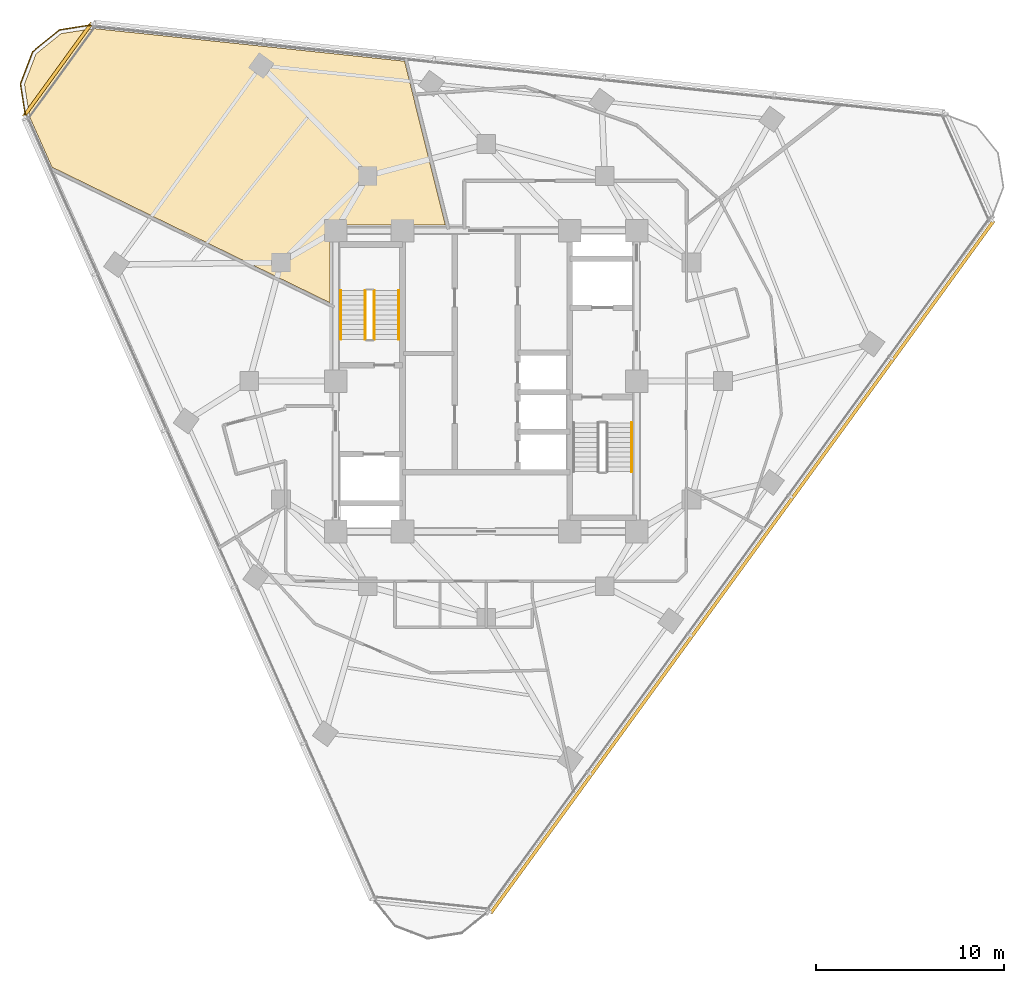
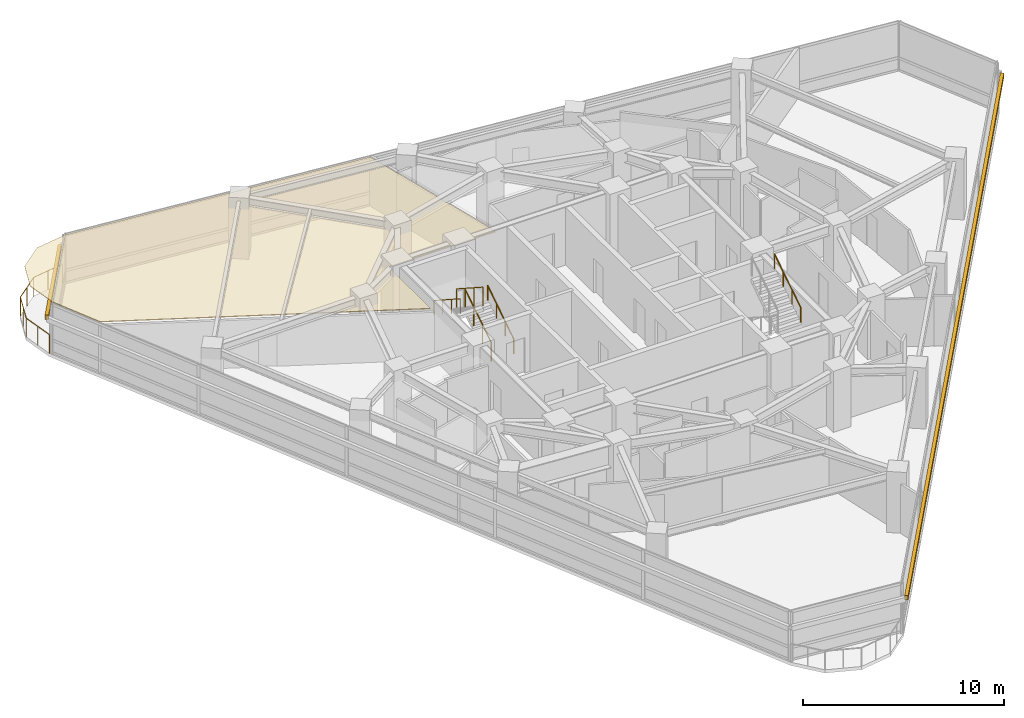
# One storey, part 13 of 14: 6 railings, 2 shading devices, 1 covering.
"""IFC4 building model written with IfcOpenShell, lengths in metres."""

from ifc_helpers import new_model, si_unit, direction, frame, origin, origin_2d, place, context, subcontext, project, spatial, polyline, rectangle, circle, outline, extrude, material, layer, layer_set, type_object, element, save


model = new_model("IFC4")

# Units and contexts
model_context = context("Model", 3, precision=1e-05, world=origin(), true_north=direction((0.0, 1.0)))
body_context = subcontext(model_context, "Body", "Model", "MODEL_VIEW")
ifc_project = project(units=[si_unit("LENGTHUNIT", "METRE"), si_unit("AREAUNIT", "SQUARE_METRE"), si_unit("VOLUMEUNIT", "CUBIC_METRE"), si_unit("PLANEANGLEUNIT", "RADIAN"), si_unit("MASSUNIT", "GRAM", prefix="KILO")], contexts=[model_context])

# Site, building, storey
site_placement = place(None, origin())
site = spatial("IfcSite", under=ifc_project, at=site_placement, CompositionType="ELEMENT")
building_placement = place(site_placement, origin())
building = spatial("IfcBuilding", under=site, at=building_placement, Name="Terralouvre Media Tower", CompositionType="ELEMENT")
storey_placement = place(building_placement, frame((0.0, 0.0, 222.60009765625)))
storey = spatial("IfcBuildingStorey", under=building, at=storey_placement, Name="L57", CompositionType="ELEMENT", Elevation=222.60009765625)

# Covering
ifc_material_1 = material(Name="Perforated aluminium acoustic ceiling baffle", Category="aluminium")
ifc_layer_1 = layer(ifc_material_1, 0.0400390625, Name="Perforated Acoustic Metal Tile Ceiling CL-AC1")
ifc_layer_set_1 = layer_set([ifc_layer_1], Name="Perforated aluminium acoustic ceiling baffle")
covering_type = type_object("IfcCoveringType", Name="Perforated Acoustic Metal Tile Ceiling CL-AC1", PredefinedType="CEILING", material=ifc_layer_set_1)
covering_placement = place(storey_placement, frame((0.0, 0.0, 2.97998046875), z_axis=(0.0, 0.0, 1.0), x_axis=(0.587785252292, 0.809016994375, 0.0)))
element("IfcCovering", 1, at=covering_placement, inside=storey, type_object=covering_type, Name="L57 Network Executive Boardroom 9 Acoustic Ceiling", PredefinedType="CEILING", context=body_context, shape_type="SweptSolid", body=[
    extrude(outline(polyline([(-1.515869140625, 9.17041015625), (1.757568359375, 11.548583984375), (1.765869140625, 11.553955078125), (1.7744140625, 11.55859375), (1.783447265625, 11.562255859375), (1.79296875, 11.56494140625), (1.802490234375, 11.56689453125), (1.8125, 11.567626953125), (1.822265625, 11.567626953125), (1.83203125, 11.56640625), (1.841552734375, 11.564453125), (1.850830078125, 11.5615234375), (1.85986328125, 11.5576171875), (1.86865234375, 11.552978515625), (1.876708984375, 11.54736328125), (1.88427734375, 11.541259765625), (1.89111328125, 11.5341796875), (1.897216796875, 11.526611328125), (5.444580078125, 6.64404296875), (10.029541015625, 12.107666015625), (11.208984375, 13.5146484375), (2.898193359375, 27.908935546875), (1.66064453125, 29.146484375), (-0.000244140625, 29.591552734375), (-1.66064453125, 29.146240234375), (-2.8984375, 27.908935546875), (-4.3701171875, 25.360107421875), (-1.515869140625, 9.17041015625)])), origin(), (0.0, 0.0, 1.0), 0.0400390625),
])

# Railings
ifc_material_2 = material(Name="Stainless steel 316 handrail and balustrade", Category="steel")
ifc_layer_2 = layer(ifc_material_2, 0.06005859375, Name="Roof Edge Safety Guardrail GR-ROOF1")
ifc_layer_set_2 = layer_set([ifc_layer_2], Name="Stainless steel 316 handrail and balustrade")
railing_type_1 = type_object("IfcRailingType", Name="Roof Edge Safety Guardrail GR-ROOF1", PredefinedType="GUARDRAIL", material=ifc_layer_set_2)
railing_1_placement = place(storey_placement, frame((-20.870361328125, 18.961181640625, 0.0)))
element("IfcRailing", 2, at=railing_1_placement, inside=storey, type_object=railing_type_1, Name="L57 Wind-Corner Perimeter Safety Guardrail C2", PredefinedType="GUARDRAIL", context=body_context, shape_type="SweptSolid", body=[
    extrude(circle(Radius=0.02099609375, at=origin_2d()), frame((0.0, 0.0, 1.12890625), z_axis=(-0.987731695444, -0.156160487372, 0.0), x_axis=(0.156160487372, -0.987731695444, 0.0)), (0.0, 0.0, 1.0), 1.8369140625),
    extrude(circle(Radius=0.02099609375, at=origin_2d()), frame((-1.814453125, -0.286865234375, 1.12890625), z_axis=(-0.777198436724, -0.629255583967, 0.0), x_axis=(0.629255583967, -0.777198436724, 0.0)), (0.0, 0.0, 1.0), 1.836669921875),
    extrude(circle(Radius=0.02099609375, at=origin_2d()), frame((-3.241943359375, -1.442626953125, 1.12890625), z_axis=(-0.35822186013, -0.933636491856, 0.0), x_axis=(0.933636491856, -0.35822186013, 0.0)), (0.0, 0.0, 1.0), 1.836669921875),
    extrude(circle(Radius=0.02099609375, at=origin_2d()), frame((-3.89990234375, -3.157470703125, 1.12890625), z_axis=(0.156699635824, -0.987646305178, 0.0), x_axis=(0.987646305178, 0.156699635824, 0.0)), (0.0, 0.0, 1.0), 1.8369140625),
    extrude(circle(Radius=0.01904296875, at=origin_2d()), origin(), (0.0, 0.0, 1.0), 1.10791015625),
    extrude(circle(Radius=0.01904296875, at=origin_2d()), frame((-0.9072265625, -0.1435546875, 0.0)), (0.0, 0.0, 1.0), 1.10791015625),
    extrude(circle(Radius=0.01904296875, at=origin_2d()), frame((-1.814453125, -0.286865234375, 0.0)), (0.0, 0.0, 1.0), 1.10791015625),
    extrude(circle(Radius=0.01904296875, at=origin_2d()), frame((-2.5283203125, -0.86474609375, 0.0)), (0.0, 0.0, 1.0), 1.10791015625),
    extrude(circle(Radius=0.01904296875, at=origin_2d()), frame((-3.241943359375, -1.442626953125, 0.0)), (0.0, 0.0, 1.0), 1.10791015625),
    extrude(circle(Radius=0.01904296875, at=origin_2d()), frame((-3.57080078125, -2.300048828125, 0.0)), (0.0, 0.0, 1.0), 1.10791015625),
    extrude(circle(Radius=0.01904296875, at=origin_2d()), frame((-3.89990234375, -3.157470703125, 0.0)), (0.0, 0.0, 1.0), 1.10791015625),
    extrude(circle(Radius=0.01904296875, at=origin_2d()), frame((-3.755859375, -4.064453125, 0.0)), (0.0, 0.0, 1.0), 1.10791015625),
    extrude(circle(Radius=0.01904296875, at=origin_2d()), frame((-3.612060546875, -4.9716796875, 0.0)), (0.0, 0.0, 1.0), 1.10791015625),
])
ifc_material_3 = material(Name="Stainless steel 316 handrail and balustrade", Category="steel")
ifc_layer_3 = layer(ifc_material_3, 0.050048828125, Name="Stair Flight Wall Handrail HR-INT1")
ifc_layer_set_3 = layer_set([ifc_layer_3], Name="Stainless steel 316 handrail and balustrade")
railing_type_2 = type_object("IfcRailingType", Name="Stair Flight Wall Handrail HR-INT1", PredefinedType="HANDRAIL", material=ifc_layer_set_3)
railing_2_placement = place(storey_placement, frame((-4.64990234375, 2.219970703125, 0.16796875)))
element("IfcRailing", 3, at=railing_2_placement, inside=storey, type_object=railing_type_2, Name="L57 ST-01 stair handrail 1", PredefinedType="HANDRAIL", context=body_context, shape_type="SweptSolid", body=[
    extrude(circle(Radius=0.02392578125, at=origin_2d()), frame((0.0, 0.0, 0.8759765625), z_axis=(0.0, 0.839648411786, 0.543130320075), x_axis=(-1.0, 0.0, 0.0)), (0.0, 0.0, 1.0), 3.0966796875),
    extrude(circle(Radius=0.02099609375, at=origin_2d()), origin(), (0.0, 0.0, 1.0), 0.851806640625),
    extrude(circle(Radius=0.02099609375, at=origin_2d()), frame((0.0, 0.86669921875, 0.560546875)), (0.0, 0.0, 1.0), 0.851806640625),
    extrude(circle(Radius=0.02099609375, at=origin_2d()), frame((0.0, 1.7333984375, 1.121337890625)), (0.0, 0.0, 1.0), 0.851806640625),
    extrude(circle(Radius=0.02099609375, at=origin_2d()), frame((0.0, 2.60009765625, 1.681884765625)), (0.0, 0.0, 1.0), 0.851806640625),
])
railing_3_placement = place(storey_placement, frame((-7.72998046875, 4.820068359375, 2.01806640625)))
element("IfcRailing", 4, at=railing_3_placement, inside=storey, type_object=railing_type_2, Name="L57 ST-01 stair handrail 2", PredefinedType="HANDRAIL", context=body_context, shape_type="SweptSolid", body=[
    extrude(circle(Radius=0.02392578125, at=origin_2d()), frame((0.0, 0.0, 0.8759765625), z_axis=(0.0, -0.839648411786, 0.543130320075), x_axis=(1.0, 0.0, 0.0)), (0.0, 0.0, 1.0), 3.0966796875),
    extrude(circle(Radius=0.02099609375, at=origin_2d()), origin(), (0.0, 0.0, 1.0), 0.851806640625),
    extrude(circle(Radius=0.02099609375, at=origin_2d()), frame((0.0, -0.86669921875, 0.560546875)), (0.0, 0.0, 1.0), 0.851806640625),
    extrude(circle(Radius=0.02099609375, at=origin_2d()), frame((0.0, -1.7333984375, 1.121337890625)), (0.0, 0.0, 1.0), 0.851806640625),
    extrude(circle(Radius=0.02099609375, at=origin_2d()), frame((0.0, -2.60009765625, 1.681884765625)), (0.0, 0.0, 1.0), 0.851806640625),
])
railing_4_placement = place(storey_placement, frame((7.72998046875, -4.820068359375, 2.01806640625)))
element("IfcRailing", 5, at=railing_4_placement, inside=storey, type_object=railing_type_2, Name="L57 ST-02 stair handrail 2", PredefinedType="HANDRAIL", context=body_context, shape_type="SweptSolid", body=[
    extrude(circle(Radius=0.02392578125, at=origin_2d()), frame((0.0, 0.0, 0.8759765625), z_axis=(0.0, 0.839648411786, 0.543130320075), x_axis=(-1.0, 0.0, 0.0)), (0.0, 0.0, 1.0), 3.0966796875),
    extrude(circle(Radius=0.02099609375, at=origin_2d()), origin(), (0.0, 0.0, 1.0), 0.851806640625),
    extrude(circle(Radius=0.02099609375, at=origin_2d()), frame((0.0, 0.86669921875, 0.560546875)), (0.0, 0.0, 1.0), 0.851806640625),
    extrude(circle(Radius=0.02099609375, at=origin_2d()), frame((0.0, 1.7333984375, 1.121337890625)), (0.0, 0.0, 1.0), 0.851806640625),
    extrude(circle(Radius=0.02099609375, at=origin_2d()), frame((0.0, 2.60009765625, 1.681884765625)), (0.0, 0.0, 1.0), 0.851806640625),
])
ifc_material_4 = material(Name="Stainless steel 316 handrail and balustrade", Category="steel")
ifc_layer_4 = layer(ifc_material_4, 0.050048828125, Name="Stairwell Safety Guardrail GR-INT1")
ifc_layer_set_4 = layer_set([ifc_layer_4], Name="Stainless steel 316 handrail and balustrade")
railing_type_3 = type_object("IfcRailingType", Name="Stairwell Safety Guardrail GR-INT1", PredefinedType="GUARDRAIL", material=ifc_layer_set_4)
railing_5_placement = place(storey_placement, frame((-5.949951171875, 2.219970703125, 0.16796875)))
element("IfcRailing", 6, at=railing_5_placement, inside=storey, type_object=railing_type_3, Name="L57 ST-01 stair guard 1", PredefinedType="GUARDRAIL", context=body_context, shape_type="SweptSolid", body=[
    extrude(circle(Radius=0.02392578125, at=origin_2d()), frame((0.0, 0.0, 1.1259765625), z_axis=(0.0, 0.839648411786, 0.543130320075), x_axis=(-1.0, 0.0, 0.0)), (0.0, 0.0, 1.0), 3.0966796875),
    extrude(circle(Radius=0.02099609375, at=origin_2d()), origin(), (0.0, 0.0, 1.0), 1.101806640625),
    extrude(circle(Radius=0.02099609375, at=origin_2d()), frame((0.0, 0.86669921875, 0.560546875)), (0.0, 0.0, 1.0), 1.101806640625),
    extrude(circle(Radius=0.02099609375, at=origin_2d()), frame((0.0, 1.7333984375, 1.121337890625)), (0.0, 0.0, 1.0), 1.101806640625),
    extrude(circle(Radius=0.02099609375, at=origin_2d()), frame((0.0, 2.60009765625, 1.681884765625)), (0.0, 0.0, 1.0), 1.101806640625),
])
railing_6_placement = place(storey_placement, frame((-6.429931640625, 4.820068359375, 2.01806640625)))
element("IfcRailing", 7, at=railing_6_placement, inside=storey, type_object=railing_type_3, Name="L57 ST-01 stair guard 3", PredefinedType="GUARDRAIL", context=body_context, shape_type="SweptSolid", body=[
    extrude(circle(Radius=0.02392578125, at=origin_2d()), frame((0.0, 0.0, 1.1259765625), z_axis=(0.0, -0.839648411786, 0.543130320075), x_axis=(1.0, 0.0, 0.0)), (0.0, 0.0, 1.0), 3.0966796875),
    extrude(circle(Radius=0.02099609375, at=origin_2d()), origin(), (0.0, 0.0, 1.0), 1.101806640625),
    extrude(circle(Radius=0.02099609375, at=origin_2d()), frame((0.0, -0.86669921875, 0.560546875)), (0.0, 0.0, 1.0), 1.101806640625),
    extrude(circle(Radius=0.02099609375, at=origin_2d()), frame((0.0, -1.7333984375, 1.121337890625)), (0.0, 0.0, 1.0), 1.101806640625),
    extrude(circle(Radius=0.02099609375, at=origin_2d()), frame((0.0, -2.60009765625, 1.681884765625)), (0.0, 0.0, 1.0), 1.101806640625),
])

# Shading devices
ifc_material_5 = material(Name="Extruded terracotta baguette sunshade louvres", Category="masonry")
shading_device_type = type_object("IfcShadingDeviceType", Name="Terracotta Baguette Sunshade Louvre Screen TB-LV1", PredefinedType="USERDEFINED", material=ifc_material_5)
shading_device_1_placement = place(storey_placement, frame((13.611572265625, -9.889404296875, 2.02392578125), z_axis=(0.0, 0.0, 1.0), x_axis=(0.587785300879, 0.809016959074, 0.0)))
element("IfcShadingDevice", 8, at=shading_device_1_placement, inside=storey, type_object=shading_device_type, Name="CW-L57-F0 Terracotta Baguette Sunshade Louvre", ObjectType="BAGUETTE", PredefinedType="USERDEFINED", context=body_context, shape_type="SweptSolid", body=[
    extrude(rectangle(XDim=45.5, YDim=0.179931640625, at=origin_2d()), origin(), (0.0, 0.0, 1.0), 0.280029296875),
])
shading_device_2_placement = place(storey_placement, frame((-22.785400390625, 16.5546875, 2.02392578125), z_axis=(0.0, 0.0, 1.0), x_axis=(-0.58778588998, -0.809016531067, 0.0)))
element("IfcShadingDevice", 9, at=shading_device_2_placement, inside=storey, type_object=shading_device_type, Name="CW-L57-C2 Terracotta Baguette Sunshade Louvre", ObjectType="BAGUETTE", PredefinedType="USERDEFINED", context=body_context, shape_type="SweptSolid", body=[
    extrude(rectangle(XDim=6.148681640625, YDim=0.179931640625, at=origin_2d()), origin(), (0.0, 0.0, 1.0), 0.280029296875),
])

save(model, "model.ifc")
